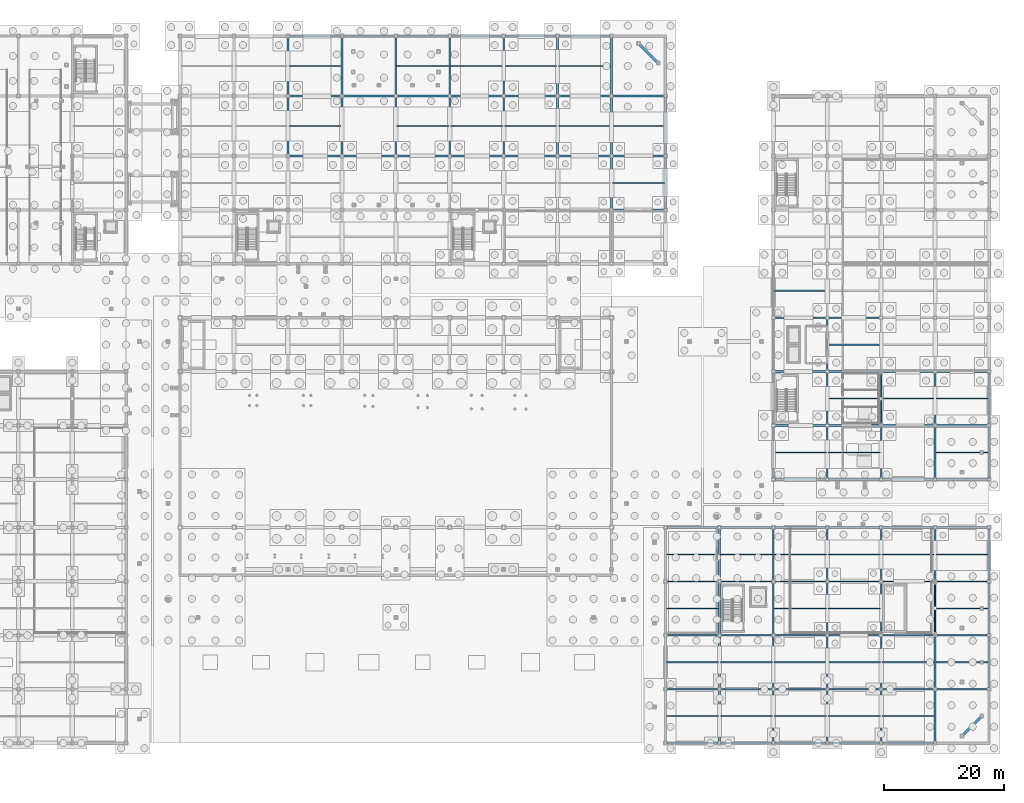
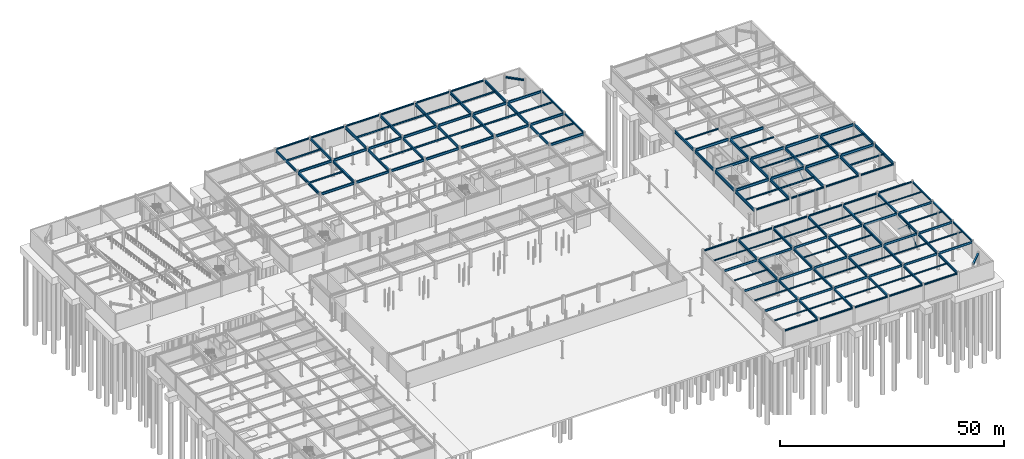
# One storey, part 42 of 74: 160 beams, 4 members.
"""IFC4 building model written with IfcOpenShell, lengths in metres."""

from ifc_helpers import new_model, si_unit, direction, frame, origin, origin_2d, place, context, subcontext, project, spatial, hollow_circle, i_section, extrude, material, material_profile, profile_set, type_object, element, save


model = new_model("IFC4")

# Units and contexts
model_context = context("Model", 3, precision=1e-05, world=origin(), true_north=direction((0.0, 1.0)))
body_context = subcontext(model_context, "Body", "Model", "MODEL_VIEW")
ifc_project = project(units=[si_unit("LENGTHUNIT", "METRE"), si_unit("AREAUNIT", "SQUARE_METRE"), si_unit("VOLUMEUNIT", "CUBIC_METRE"), si_unit("PLANEANGLEUNIT", "RADIAN"), si_unit("MASSUNIT", "GRAM", prefix="KILO")], contexts=[model_context])

# Site, building, storey
site_placement = place(None, origin())
site = spatial("IfcSite", under=ifc_project, at=site_placement, CompositionType="ELEMENT")
building_placement = place(site_placement, origin())
building = spatial("IfcBuilding", under=site, at=building_placement, Name="Suzunagisa Mobility Hub", CompositionType="ELEMENT")
storey_placement = place(building_placement, frame((0.0, 0.0, -4.800048828125)))
storey = spatial("IfcBuildingStorey", under=building, at=storey_placement, Name="B1", CompositionType="ELEMENT", Elevation=-4.800048828125)

# Members
ifc_material_1 = material(Name="Steel SN490B", Category="steel")
ifc_material_profile_1 = material_profile(ifc_material_1, hollow_circle(Radius=0.1337890625, WallThickness=0.00927734375, at=origin_2d()), Name="CHS-267.4x9.3")
ifc_profile_set_1 = profile_set([ifc_material_profile_1], Name="Steel SN490B")
member_type = type_object("IfcMemberType", Name="Roof Truss and Brace Member MB-06 CHS-267.4x9.3", PredefinedType="BRACE", material=ifc_profile_set_1)
for number, where, z_axis, x_axis, name in (
    (1, (162.0, 53.27001953125, 0.1201171875), (0.0, 0.762788120674, 0.646648500315), (-1.0, 0.0, 0.0), "B1 Concentric Lateral Brace BR-15"),
    (2, (162.0, 61.72998046875, 0.1201171875), (0.0, -0.762788120674, 0.646648500315), (1.0, 0.0, 0.0), "B1 Concentric Lateral Brace BR-16"),
):
    element("IfcMember", number, at=place(storey_placement, frame(where, z_axis=z_axis, x_axis=x_axis)), inside=storey, type_object=member_type, Name=name, PredefinedType="BRACE", context=body_context, shape_type="SweptSolid", body=[
        extrude(hollow_circle(Radius=0.1337890625, WallThickness=0.00927734375, at=origin_2d()), origin(), (0.0, 0.0, 1.0), 5.54541015625),
    ])
for number, where, z_axis, x_axis, name in (
    (3, (171.0, 18.2451171875, 0.1201171875), (0.0, 0.751453781522, 0.659785733581), (-1.0, 0.0, 0.0), "B1 Concentric Lateral Brace BR-51"),
    (4, (171.0, 26.7548828125, 0.1201171875), (0.0, -0.751453781522, 0.659785733581), (1.0, 0.0, 0.0), "B1 Concentric Lateral Brace BR-52"),
):
    element("IfcMember", number, at=place(storey_placement, frame(where, z_axis=z_axis, x_axis=x_axis)), inside=storey, type_object=member_type, Name=name, PredefinedType="BRACE", context=body_context, shape_type="SweptSolid", body=[
        extrude(hollow_circle(Radius=0.1337890625, WallThickness=0.00927734375, at=origin_2d()), origin(), (0.0, 0.0, 1.0), 5.662109375),
    ])

# Beams
ifc_material_2 = material(Name="Steel SN400B", Category="steel")
ifc_material_profile_2 = material_profile(ifc_material_2, i_section(OverallWidth=0.175048828125, OverallDepth=0.35009765625, WebThickness=0.007080078125, FlangeThickness=0.010986328125, FilletRadius=0.008056640625, at=origin_2d()), Name="H-350x175x7x11")
ifc_profile_set_2 = profile_set([ifc_material_profile_2], Name="Steel SN400B")
beam_type_1 = type_object("IfcBeamType", Name="Steel Beam BM-03 H-350x175x7x11", PredefinedType="JOIST", material=ifc_profile_set_2)
for number, where, z_axis, x_axis, name in (
    (5, (126.14990234375, 4.5, 4.344970703125), (1.0, 0.0, 0.0), (0.0, 1.0, 0.0), "B1 Composite Floor Joist J-1371"),
    (6, (126.14990234375, 13.5, 4.344970703125), (1.0, 0.0, 0.0), (0.0, 1.0, 0.0), "B1 Composite Floor Joist J-1372"),
    (7, (126.14990234375, 22.5, 4.344970703125), (1.0, 0.0, 0.0), (0.0, 1.0, 0.0), "B1 Composite Floor Joist J-1373"),
    (8, (126.14990234375, 31.5, 4.344970703125), (1.0, 0.0, 0.0), (0.0, 1.0, 0.0), "B1 Composite Floor Joist J-1374"),
    (9, (135.14990234375, 4.5, 4.344970703125), (1.0, 0.0, 0.0), (0.0, 1.0, 0.0), "B1 Composite Floor Joist J-1375"),
    (10, (135.14990234375, 13.5, 4.344970703125), (1.0, 0.0, 0.0), (0.0, 1.0, 0.0), "B1 Composite Floor Joist J-1376"),
    (11, (135.14990234375, 31.5, 4.344970703125), (1.0, 0.0, 0.0), (0.0, 1.0, 0.0), "B1 Composite Floor Joist J-1377"),
    (12, (144.14990234375, 4.5, 4.344970703125), (1.0, 0.0, 0.0), (0.0, 1.0, 0.0), "B1 Composite Floor Joist J-1378"),
    (13, (144.14990234375, 13.5, 4.344970703125), (1.0, 0.0, 0.0), (0.0, 1.0, 0.0), "B1 Composite Floor Joist J-1379"),
    (14, (144.14990234375, 22.5, 4.344970703125), (1.0, 0.0, 0.0), (0.0, 1.0, 0.0), "B1 Composite Floor Joist J-1380"),
    (15, (144.14990234375, 31.5, 4.344970703125), (1.0, 0.0, 0.0), (0.0, 1.0, 0.0), "B1 Composite Floor Joist J-1381"),
    (16, (153.14990234375, 4.5, 4.344970703125), (1.0, 0.0, 0.0), (0.0, 1.0, 0.0), "B1 Composite Floor Joist J-1382"),
    (17, (153.14990234375, 13.5, 4.344970703125), (1.0, 0.0, 0.0), (0.0, 1.0, 0.0), "B1 Composite Floor Joist J-1383"),
    (18, (153.14990234375, 22.5, 4.344970703125), (1.0, 0.0, 0.0), (0.0, 1.0, 0.0), "B1 Composite Floor Joist J-1384"),
    (19, (153.14990234375, 31.5, 4.344970703125), (1.0, 0.0, 0.0), (0.0, 1.0, 0.0), "B1 Composite Floor Joist J-1385"),
    (20, (162.14990234375, 4.5, 4.344970703125), (1.0, 0.0, 0.0), (0.0, 1.0, 0.0), "B1 Composite Floor Joist J-1386"),
    (21, (162.14990234375, 13.5, 4.344970703125), (1.0, 0.0, 0.0), (0.0, 1.0, 0.0), "B1 Composite Floor Joist J-1387"),
    (22, (162.14990234375, 31.5, 4.344970703125), (1.0, 0.0, 0.0), (0.0, 1.0, 0.0), "B1 Composite Floor Joist J-1388"),
    (23, (171.14990234375, 13.5, 4.344970703125), (1.0, 0.0, 0.0), (0.0, 1.0, 0.0), "B1 Composite Floor Joist J-1389"),
    (24, (171.14990234375, 22.5, 4.344970703125), (1.0, 0.0, 0.0), (0.0, 1.0, 0.0), "B1 Composite Floor Joist J-1390"),
    (25, (171.14990234375, 31.5, 4.344970703125), (1.0, 0.0, 0.0), (0.0, 1.0, 0.0), "B1 Composite Floor Joist J-1391"),
):
    element("IfcBeam", number, at=place(storey_placement, frame(where, z_axis=z_axis, x_axis=x_axis)), inside=storey, type_object=beam_type_1, Name=name, PredefinedType="JOIST", context=body_context, shape_type="SweptSolid", body=[
        extrude(i_section(OverallWidth=0.175048828125, OverallDepth=0.35009765625, WebThickness=0.007080078125, FlangeThickness=0.010986328125, FilletRadius=0.008056640625, at=origin_2d()), origin(), (0.0, 0.0, 1.0), 8.7001953125),
    ])
ifc_material_profile_3 = material_profile(ifc_material_2, i_section(OverallWidth=0.199951171875, OverallDepth=0.449951171875, WebThickness=0.009033203125, FlangeThickness=0.013916015625, FilletRadius=0.012939453125, at=origin_2d()), Name="H-450x200x9x14")
ifc_profile_set_3 = profile_set([ifc_material_profile_3], Name="Steel SN400B")
beam_type_2 = type_object("IfcBeamType", Name="Steel Beam BM-05 H-450x200x9x14", PredefinedType="JOIST", material=ifc_profile_set_3)
for number, where, z_axis, x_axis, name in (
    (26, (63.14990234375, 103.0, 4.295166015625), (1.0, 0.0, 0.0), (0.0, 1.0, 0.0), "B1 Composite Floor Joist J-681"),
    (27, (63.14990234375, 113.0, 4.295166015625), (1.0, 0.0, 0.0), (0.0, 1.0, 0.0), "B1 Composite Floor Joist J-682"),
    (28, (81.14990234375, 103.0, 4.295166015625), (1.0, 0.0, 0.0), (0.0, 1.0, 0.0), "B1 Composite Floor Joist J-686"),
    (29, (81.14990234375, 113.0, 4.295166015625), (1.0, 0.0, 0.0), (0.0, 1.0, 0.0), "B1 Composite Floor Joist J-687"),
    (30, (90.14990234375, 103.0, 4.295166015625), (1.0, 0.0, 0.0), (0.0, 1.0, 0.0), "B1 Composite Floor Joist J-689"),
    (31, (90.14990234375, 113.0, 4.295166015625), (1.0, 0.0, 0.0), (0.0, 1.0, 0.0), "B1 Composite Floor Joist J-690"),
    (32, (99.14990234375, 103.0, 4.295166015625), (1.0, 0.0, 0.0), (0.0, 1.0, 0.0), "B1 Composite Floor Joist J-693"),
    (33, (99.14990234375, 113.0, 4.295166015625), (1.0, 0.0, 0.0), (0.0, 1.0, 0.0), "B1 Composite Floor Joist J-694"),
    (34, (108.14990234375, 103.0, 4.295166015625), (1.0, 0.0, 0.0), (0.0, 1.0, 0.0), "B1 Composite Floor Joist J-697"),
    (35, (108.14990234375, 113.0, 4.295166015625), (1.0, 0.0, 0.0), (0.0, 1.0, 0.0), "B1 Composite Floor Joist J-698"),
    (36, (117.14990234375, 93.5, 4.295166015625), (1.0, 0.0, 0.0), (0.0, 1.0, 0.0), "B1 Composite Floor Joist J-700"),
    (37, (117.14990234375, 103.0, 4.295166015625), (1.0, 0.0, 0.0), (0.0, 1.0, 0.0), "B1 Composite Floor Joist J-701"),
):
    element("IfcBeam", number, at=place(storey_placement, frame(where, z_axis=z_axis, x_axis=x_axis)), inside=storey, type_object=beam_type_2, Name=name, PredefinedType="JOIST", context=body_context, shape_type="SweptSolid", body=[
        extrude(i_section(OverallWidth=0.199951171875, OverallDepth=0.449951171875, WebThickness=0.009033203125, FlangeThickness=0.013916015625, FilletRadius=0.012939453125, at=origin_2d()), origin(), (0.0, 0.0, 1.0), 8.7001953125),
    ])
ifc_material_profile_4 = material_profile(ifc_material_1, i_section(OverallWidth=0.199951171875, OverallDepth=0.60009765625, WebThickness=0.010986328125, FlangeThickness=0.01708984375, FilletRadius=0.012939453125, at=origin_2d()), Name="H-600x200x11x17")
ifc_profile_set_4 = profile_set([ifc_material_profile_4], Name="Steel SN490B")
beam_type_3 = type_object("IfcBeamType", Name="Steel Beam BM-07 H-600x200x11x17", PredefinedType="BEAM", material=ifc_profile_set_4)
for number, where, z_axis, x_axis, name in (
    (38, (126.220947265625, 9.0, 4.219970703125), (1.0, 0.0, 0.0), (0.0, 1.0, 0.0), "B1 Primary Girder GX-1319"),
    (39, (135.220947265625, 9.0, 4.219970703125), (1.0, 0.0, 0.0), (0.0, 1.0, 0.0), "B1 Primary Girder GX-1320"),
    (40, (144.220947265625, 9.0, 4.219970703125), (1.0, 0.0, 0.0), (0.0, 1.0, 0.0), "B1 Primary Girder GX-1321"),
    (41, (153.220947265625, 9.0, 4.219970703125), (1.0, 0.0, 0.0), (0.0, 1.0, 0.0), "B1 Primary Girder GX-1322"),
    (42, (162.220947265625, 9.0, 4.219970703125), (1.0, 0.0, 0.0), (0.0, 1.0, 0.0), "B1 Primary Girder GX-1323"),
    (43, (171.220947265625, 9.0, 4.219970703125), (1.0, 0.0, 0.0), (0.0, 1.0, 0.0), "B1 Primary Girder GX-1324"),
    (44, (126.220947265625, 18.0, 4.219970703125), (1.0, 0.0, 0.0), (0.0, 1.0, 0.0), "B1 Primary Girder GX-1325"),
    (45, (135.220947265625, 18.0, 4.219970703125), (1.0, 0.0, 0.0), (0.0, 1.0, 0.0), "B1 Primary Girder GX-1326"),
    (46, (144.220947265625, 18.0, 4.219970703125), (1.0, 0.0, 0.0), (0.0, 1.0, 0.0), "B1 Primary Girder GX-1327"),
    (47, (153.220947265625, 18.0, 4.219970703125), (1.0, 0.0, 0.0), (0.0, 1.0, 0.0), "B1 Primary Girder GX-1328"),
    (48, (162.220947265625, 18.0, 4.219970703125), (1.0, 0.0, 0.0), (0.0, 1.0, 0.0), "B1 Primary Girder GX-1329"),
    (49, (171.220947265625, 18.0, 4.219970703125), (1.0, 0.0, 0.0), (0.0, 1.0, 0.0), "B1 Primary Girder GX-1330"),
    (50, (126.220947265625, 27.0, 4.219970703125), (1.0, 0.0, 0.0), (0.0, 1.0, 0.0), "B1 Primary Girder GX-1331"),
    (51, (135.220947265625, 27.0, 4.219970703125), (1.0, 0.0, 0.0), (0.0, 1.0, 0.0), "B1 Primary Girder GX-1332"),
    (52, (144.220947265625, 27.0, 4.219970703125), (1.0, 0.0, 0.0), (0.0, 1.0, 0.0), "B1 Primary Girder GX-1333"),
    (53, (153.220947265625, 27.0, 4.219970703125), (1.0, 0.0, 0.0), (0.0, 1.0, 0.0), "B1 Primary Girder GX-1334"),
    (54, (162.220947265625, 27.0, 4.219970703125), (1.0, 0.0, 0.0), (0.0, 1.0, 0.0), "B1 Primary Girder GX-1335"),
    (55, (171.220947265625, 27.0, 4.219970703125), (1.0, 0.0, 0.0), (0.0, 1.0, 0.0), "B1 Primary Girder GX-1336"),
):
    element("IfcBeam", number, at=place(storey_placement, frame(where, z_axis=z_axis, x_axis=x_axis)), inside=storey, type_object=beam_type_3, Name=name, PredefinedType="BEAM", context=body_context, shape_type="SweptSolid", body=[
        extrude(i_section(OverallWidth=0.199951171875, OverallDepth=0.60009765625, WebThickness=0.010986328125, FlangeThickness=0.01708984375, FilletRadius=0.012939453125, at=origin_2d()), origin(), (0.0, 0.0, 1.0), 8.55810546875),
    ])
ifc_material_profile_5 = material_profile(ifc_material_1, i_section(OverallWidth=0.300048828125, OverallDepth=0.800048828125, WebThickness=0.013916015625, FlangeThickness=0.02587890625, FilletRadius=0.01806640625, at=origin_2d()), Name="H-800x300x14x26")
ifc_profile_set_5 = profile_set([ifc_material_profile_5], Name="Steel SN490B")
beam_type_4 = type_object("IfcBeamType", Name="Steel Beam BM-09 H-800x300x14x26", PredefinedType="BEAM", material=ifc_profile_set_5)
for number, where, z_axis, x_axis, name in (
    (56, (144.0, 44.24609375, 4.1201171875), (0.0, 1.0, 0.0), (-1.0, 0.0, 0.0), "B1 Primary Girder GY-1648"),
    (57, (144.0, 53.24609375, 4.1201171875), (0.0, 1.0, 0.0), (-1.0, 0.0, 0.0), "B1 Primary Girder GY-1649"),
    (58, (144.0, 62.24609375, 4.1201171875), (0.0, 1.0, 0.0), (-1.0, 0.0, 0.0), "B1 Primary Girder GY-1650"),
    (59, (144.0, 71.24609375, 4.1201171875), (0.0, 1.0, 0.0), (-1.0, 0.0, 0.0), "B1 Primary Girder GY-1651"),
    (60, (153.0, 44.24609375, 4.1201171875), (0.0, 1.0, 0.0), (-1.0, 0.0, 0.0), "B1 Primary Girder GY-1655"),
    (61, (153.0, 53.24609375, 4.1201171875), (0.0, 1.0, 0.0), (-1.0, 0.0, 0.0), "B1 Primary Girder GY-1656"),
    (62, (153.0, 62.24609375, 4.1201171875), (0.0, 1.0, 0.0), (-1.0, 0.0, 0.0), "B1 Primary Girder GY-1657"),
    (63, (162.0, 44.24609375, 4.1201171875), (0.0, 1.0, 0.0), (-1.0, 0.0, 0.0), "B1 Primary Girder GY-1662"),
    (64, (162.0, 53.24609375, 4.1201171875), (0.0, 1.0, 0.0), (-1.0, 0.0, 0.0), "B1 Primary Girder GY-1663"),
    (65, (171.0, 44.24609375, 4.1201171875), (0.0, 1.0, 0.0), (-1.0, 0.0, 0.0), "B1 Primary Girder GY-1669"),
    (66, (171.0, 53.24609375, 4.1201171875), (0.0, 1.0, 0.0), (-1.0, 0.0, 0.0), "B1 Primary Girder GY-1670"),
    (67, (180.0, 44.24609375, 4.1201171875), (0.0, 1.0, 0.0), (-1.0, 0.0, 0.0), "B1 Primary Girder GY-1676"),
    (68, (180.0, 53.24609375, 4.1201171875), (0.0, 1.0, 0.0), (-1.0, 0.0, 0.0), "B1 Primary Girder GY-1677"),
):
    element("IfcBeam", number, at=place(storey_placement, frame(where, z_axis=z_axis, x_axis=x_axis)), inside=storey, type_object=beam_type_4, Name=name, PredefinedType="BEAM", context=body_context, shape_type="SweptSolid", body=[
        extrude(i_section(OverallWidth=0.300048828125, OverallDepth=0.800048828125, WebThickness=0.013916015625, FlangeThickness=0.02587890625, FilletRadius=0.01806640625, at=origin_2d()), origin(), (0.0, 0.0, 1.0), 8.5078125),
    ])
ifc_material_profile_6 = material_profile(ifc_material_1, i_section(OverallWidth=0.300048828125, OverallDepth=0.64990234375, WebThickness=0.012939453125, FlangeThickness=0.02197265625, FilletRadius=0.01611328125, at=origin_2d()), Name="H-650x300x13x22")
ifc_profile_set_6 = profile_set([ifc_material_profile_6], Name="Steel SN490B")
beam_type_5 = type_object("IfcBeamType", Name="Steel Beam BM-10 H-650x300x13x22", PredefinedType="BEAM", material=ifc_profile_set_6)
for number, where, z_axis, x_axis, name in (
    (69, (117.24609375, 89.0, 4.195068359375), (1.0, 0.0, 0.0), (0.0, 1.0, 0.0), "B1 Primary Girder GX-605"),
    (70, (63.24609375, 98.0, 4.195068359375), (1.0, 0.0, 0.0), (0.0, 1.0, 0.0), "B1 Primary Girder GX-608"),
    (71, (72.24609375, 98.0, 4.195068359375), (1.0, 0.0, 0.0), (0.0, 1.0, 0.0), "B1 Primary Girder GX-609"),
    (72, (81.24609375, 98.0, 4.195068359375), (1.0, 0.0, 0.0), (0.0, 1.0, 0.0), "B1 Primary Girder GX-610"),
    (73, (90.24609375, 98.0, 4.195068359375), (1.0, 0.0, 0.0), (0.0, 1.0, 0.0), "B1 Primary Girder GX-611"),
    (74, (99.24609375, 98.0, 4.195068359375), (1.0, 0.0, 0.0), (0.0, 1.0, 0.0), "B1 Primary Girder GX-612"),
    (75, (108.24609375, 98.0, 4.195068359375), (1.0, 0.0, 0.0), (0.0, 1.0, 0.0), "B1 Primary Girder GX-613"),
    (76, (117.24609375, 98.0, 4.195068359375), (1.0, 0.0, 0.0), (0.0, 1.0, 0.0), "B1 Primary Girder GX-614"),
    (77, (63.24609375, 108.0, 4.195068359375), (1.0, 0.0, 0.0), (0.0, 1.0, 0.0), "B1 Primary Girder GX-617"),
    (78, (72.24609375, 108.0, 4.195068359375), (1.0, 0.0, 0.0), (0.0, 1.0, 0.0), "B1 Primary Girder GX-618"),
    (79, (81.24609375, 108.0, 4.195068359375), (1.0, 0.0, 0.0), (0.0, 1.0, 0.0), "B1 Primary Girder GX-619"),
    (80, (90.24609375, 108.0, 4.195068359375), (1.0, 0.0, 0.0), (0.0, 1.0, 0.0), "B1 Primary Girder GX-620"),
    (81, (99.24609375, 108.0, 4.195068359375), (1.0, 0.0, 0.0), (0.0, 1.0, 0.0), "B1 Primary Girder GX-621"),
    (82, (108.24609375, 108.0, 4.195068359375), (1.0, 0.0, 0.0), (0.0, 1.0, 0.0), "B1 Primary Girder GX-622"),
    (83, (117.24609375, 108.0, 4.195068359375), (1.0, 0.0, 0.0), (0.0, 1.0, 0.0), "B1 Primary Girder GX-623"),
):
    element("IfcBeam", number, at=place(storey_placement, frame(where, z_axis=z_axis, x_axis=x_axis)), inside=storey, type_object=beam_type_5, Name=name, PredefinedType="BEAM", context=body_context, shape_type="SweptSolid", body=[
        extrude(i_section(OverallWidth=0.300048828125, OverallDepth=0.64990234375, WebThickness=0.012939453125, FlangeThickness=0.02197265625, FilletRadius=0.01611328125, at=origin_2d()), origin(), (0.0, 0.0, 1.0), 8.5078125),
    ])
for number, where, z_axis, x_axis, name in (
    (84, (135.0, 0.220947265625, 4.195068359375), (0.0, 1.0, 0.0), (-1.0, 0.0, 0.0), "B1 Primary Girder GY-1347"),
    (85, (135.0, 9.220947265625, 4.195068359375), (0.0, 1.0, 0.0), (-1.0, 0.0, 0.0), "B1 Primary Girder GY-1348"),
    (86, (135.0, 18.220947265625, 4.195068359375), (0.0, 1.0, 0.0), (-1.0, 0.0, 0.0), "B1 Primary Girder GY-1349"),
    (87, (135.0, 27.220947265625, 4.195068359375), (0.0, 1.0, 0.0), (-1.0, 0.0, 0.0), "B1 Primary Girder GY-1350"),
    (88, (144.0, 0.220947265625, 4.195068359375), (0.0, 1.0, 0.0), (-1.0, 0.0, 0.0), "B1 Primary Girder GY-1351"),
    (89, (144.0, 9.220947265625, 4.195068359375), (0.0, 1.0, 0.0), (-1.0, 0.0, 0.0), "B1 Primary Girder GY-1352"),
    (90, (144.0, 18.220947265625, 4.195068359375), (0.0, 1.0, 0.0), (-1.0, 0.0, 0.0), "B1 Primary Girder GY-1353"),
    (91, (144.0, 27.220947265625, 4.195068359375), (0.0, 1.0, 0.0), (-1.0, 0.0, 0.0), "B1 Primary Girder GY-1354"),
    (92, (153.0, 0.220947265625, 4.195068359375), (0.0, 1.0, 0.0), (-1.0, 0.0, 0.0), "B1 Primary Girder GY-1355"),
    (93, (153.0, 9.220947265625, 4.195068359375), (0.0, 1.0, 0.0), (-1.0, 0.0, 0.0), "B1 Primary Girder GY-1356"),
    (94, (153.0, 18.220947265625, 4.195068359375), (0.0, 1.0, 0.0), (-1.0, 0.0, 0.0), "B1 Primary Girder GY-1357"),
    (95, (153.0, 27.220947265625, 4.195068359375), (0.0, 1.0, 0.0), (-1.0, 0.0, 0.0), "B1 Primary Girder GY-1358"),
    (96, (162.0, 0.220947265625, 4.195068359375), (0.0, 1.0, 0.0), (-1.0, 0.0, 0.0), "B1 Primary Girder GY-1359"),
    (97, (162.0, 9.220947265625, 4.195068359375), (0.0, 1.0, 0.0), (-1.0, 0.0, 0.0), "B1 Primary Girder GY-1360"),
    (98, (162.0, 18.220947265625, 4.195068359375), (0.0, 1.0, 0.0), (-1.0, 0.0, 0.0), "B1 Primary Girder GY-1361"),
    (99, (162.0, 27.220947265625, 4.195068359375), (0.0, 1.0, 0.0), (-1.0, 0.0, 0.0), "B1 Primary Girder GY-1362"),
    (100, (171.0, 0.220947265625, 4.195068359375), (0.0, 1.0, 0.0), (-1.0, 0.0, 0.0), "B1 Primary Girder GY-1363"),
    (101, (171.0, 9.220947265625, 4.195068359375), (0.0, 1.0, 0.0), (-1.0, 0.0, 0.0), "B1 Primary Girder GY-1364"),
    (102, (171.0, 18.220947265625, 4.195068359375), (0.0, 1.0, 0.0), (-1.0, 0.0, 0.0), "B1 Primary Girder GY-1365"),
    (103, (171.0, 27.220947265625, 4.195068359375), (0.0, 1.0, 0.0), (-1.0, 0.0, 0.0), "B1 Primary Girder GY-1366"),
):
    element("IfcBeam", number, at=place(storey_placement, frame(where, z_axis=z_axis, x_axis=x_axis)), inside=storey, type_object=beam_type_5, Name=name, PredefinedType="BEAM", context=body_context, shape_type="SweptSolid", body=[
        extrude(i_section(OverallWidth=0.300048828125, OverallDepth=0.64990234375, WebThickness=0.012939453125, FlangeThickness=0.02197265625, FilletRadius=0.01611328125, at=origin_2d()), origin(), (0.0, 0.0, 1.0), 8.55810546875),
    ])
ifc_material_profile_7 = material_profile(ifc_material_1, i_section(OverallWidth=0.300048828125, OverallDepth=0.699951171875, WebThickness=0.012939453125, FlangeThickness=0.02392578125, FilletRadius=0.01806640625, at=origin_2d()), Name="H-700x300x13x24")
ifc_profile_set_7 = profile_set([ifc_material_profile_7], Name="Steel SN490B")
beam_type_6 = type_object("IfcBeamType", Name="Steel Beam BM-11 H-700x300x13x24", PredefinedType="BEAM", material=ifc_profile_set_7)
for number, where, z_axis, x_axis, name in (
    (104, (144.24609375, 53.0, 4.170166015625), (1.0, 0.0, 0.0), (0.0, 1.0, 0.0), "B1 Primary Girder GX-1621"),
    (105, (153.24609375, 53.0, 4.170166015625), (1.0, 0.0, 0.0), (0.0, 1.0, 0.0), "B1 Primary Girder GX-1622"),
    (106, (162.24609375, 53.0, 4.170166015625), (1.0, 0.0, 0.0), (0.0, 1.0, 0.0), "B1 Primary Girder GX-1623"),
    (107, (171.24609375, 53.0, 4.170166015625), (1.0, 0.0, 0.0), (0.0, 1.0, 0.0), "B1 Primary Girder GX-1624"),
    (108, (144.24609375, 62.0, 4.170166015625), (1.0, 0.0, 0.0), (0.0, 1.0, 0.0), "B1 Primary Girder GX-1625"),
    (109, (153.24609375, 62.0, 4.170166015625), (1.0, 0.0, 0.0), (0.0, 1.0, 0.0), "B1 Primary Girder GX-1626"),
    (110, (162.24609375, 62.0, 4.170166015625), (1.0, 0.0, 0.0), (0.0, 1.0, 0.0), "B1 Primary Girder GX-1627"),
    (111, (171.24609375, 62.0, 4.170166015625), (1.0, 0.0, 0.0), (0.0, 1.0, 0.0), "B1 Primary Girder GX-1628"),
    (112, (144.24609375, 71.0, 4.170166015625), (1.0, 0.0, 0.0), (0.0, 1.0, 0.0), "B1 Primary Girder GX-1629"),
    (113, (153.24609375, 71.0, 4.170166015625), (1.0, 0.0, 0.0), (0.0, 1.0, 0.0), "B1 Primary Girder GX-1630"),
):
    element("IfcBeam", number, at=place(storey_placement, frame(where, z_axis=z_axis, x_axis=x_axis)), inside=storey, type_object=beam_type_6, Name=name, PredefinedType="BEAM", context=body_context, shape_type="SweptSolid", body=[
        extrude(i_section(OverallWidth=0.300048828125, OverallDepth=0.699951171875, WebThickness=0.012939453125, FlangeThickness=0.02392578125, FilletRadius=0.01806640625, at=origin_2d()), origin(), (0.0, 0.0, 1.0), 8.5078125),
    ])
ifc_material_profile_8 = material_profile(ifc_material_1, i_section(OverallWidth=0.39990234375, OverallDepth=0.39990234375, WebThickness=0.012939453125, FlangeThickness=0.02099609375, FilletRadius=0.01611328125, at=origin_2d()), Name="H-400x400x13x21")
ifc_profile_set_8 = profile_set([ifc_material_profile_8], Name="Steel SN490B")
beam_type_7 = type_object("IfcBeamType", Name="Steel Beam BM-12 H-400x400x13x21", PredefinedType="SPANDREL", material=ifc_profile_set_8)
for number, where, z_axis, x_axis, name in (
    (114, (124.632568359375, 113.66162109375, 4.320068359375), (-0.707106781187, 0.707106781187, 0.0), (-0.707106781187, -0.707106781187, 0.0), "B1 Streamline Prow Spandrel 671"),
    (115, (175.66162109375, 1.367431640625, 4.320068359375), (0.707106781187, 0.707106781187, 0.0), (-0.707106781187, 0.707106781187, 0.0), "B1 Streamline Prow Spandrel 1370"),
):
    element("IfcBeam", number, at=place(storey_placement, frame(where, z_axis=z_axis, x_axis=x_axis)), inside=storey, type_object=beam_type_7, Name=name, PredefinedType="SPANDREL", context=body_context, shape_type="SweptSolid", body=[
        extrude(i_section(OverallWidth=0.39990234375, OverallDepth=0.39990234375, WebThickness=0.012939453125, FlangeThickness=0.02099609375, FilletRadius=0.01611328125, at=origin_2d()), origin(), (0.0, 0.0, 1.0), 4.20166015625),
    ])
ifc_material_profile_9 = material_profile(ifc_material_1, i_section(OverallWidth=0.300048828125, OverallDepth=0.389892578125, WebThickness=0.010009765625, FlangeThickness=0.01611328125, FilletRadius=0.012939453125, at=origin_2d()), Name="H-390x300x10x16")
ifc_profile_set_9 = profile_set([ifc_material_profile_9], Name="Steel SN490B")
beam_type_8 = type_object("IfcBeamType", Name="Steel Beam BM-13 H-390x300x10x16", PredefinedType="SPANDREL", material=ifc_profile_set_9)
for number, where, z_axis, x_axis, name in (
    (116, (63.24609375, 118.0, 4.324951171875), (1.0, 0.0, 0.0), (0.0, 1.0, 0.0), "B1 Primary Girder GX-626"),
    (117, (72.24609375, 118.0, 4.324951171875), (1.0, 0.0, 0.0), (0.0, 1.0, 0.0), "B1 Primary Girder GX-627"),
    (118, (81.24609375, 118.0, 4.324951171875), (1.0, 0.0, 0.0), (0.0, 1.0, 0.0), "B1 Primary Girder GX-628"),
    (119, (90.24609375, 118.0, 4.324951171875), (1.0, 0.0, 0.0), (0.0, 1.0, 0.0), "B1 Primary Girder GX-629"),
    (120, (99.24609375, 118.0, 4.324951171875), (1.0, 0.0, 0.0), (0.0, 1.0, 0.0), "B1 Primary Girder GX-630"),
    (121, (108.24609375, 118.0, 4.324951171875), (1.0, 0.0, 0.0), (0.0, 1.0, 0.0), "B1 Primary Girder GX-631"),
    (122, (126.0, 89.24609375, 4.324951171875), (0.0, 1.0, 0.0), (-1.0, 0.0, 0.0), "B1 Primary Girder GY-669"),
):
    element("IfcBeam", number, at=place(storey_placement, frame(where, z_axis=z_axis, x_axis=x_axis)), inside=storey, type_object=beam_type_8, Name=name, PredefinedType="SPANDREL", context=body_context, shape_type="SweptSolid", body=[
        extrude(i_section(OverallWidth=0.300048828125, OverallDepth=0.389892578125, WebThickness=0.010009765625, FlangeThickness=0.01611328125, FilletRadius=0.012939453125, at=origin_2d()), origin(), (0.0, 0.0, 1.0), 8.5078125),
    ])
beam_1_placement = place(storey_placement, frame((126.0, 98.24609375, 4.324951171875), z_axis=(0.0, 1.0, 0.0), x_axis=(-1.0, 0.0, 0.0)))
element("IfcBeam", 123, at=beam_1_placement, inside=storey, type_object=beam_type_8, Name="B1 Primary Girder GY-670", PredefinedType="SPANDREL", context=body_context, shape_type="SweptSolid", body=[
    extrude(i_section(OverallWidth=0.300048828125, OverallDepth=0.389892578125, WebThickness=0.010009765625, FlangeThickness=0.01611328125, FilletRadius=0.012939453125, at=origin_2d()), origin(), (0.0, 0.0, 1.0), 9.5078125),
])
for number, where, z_axis, x_axis, name in (
    (124, (126.220947265625, 0.0, 4.324951171875), (1.0, 0.0, 0.0), (0.0, 1.0, 0.0), "B1 Primary Girder GX-1314"),
    (125, (135.220947265625, 0.0, 4.324951171875), (1.0, 0.0, 0.0), (0.0, 1.0, 0.0), "B1 Primary Girder GX-1315"),
    (126, (144.220947265625, 0.0, 4.324951171875), (1.0, 0.0, 0.0), (0.0, 1.0, 0.0), "B1 Primary Girder GX-1316"),
    (127, (153.220947265625, 0.0, 4.324951171875), (1.0, 0.0, 0.0), (0.0, 1.0, 0.0), "B1 Primary Girder GX-1317"),
    (128, (162.220947265625, 0.0, 4.324951171875), (1.0, 0.0, 0.0), (0.0, 1.0, 0.0), "B1 Primary Girder GX-1318"),
    (129, (126.220947265625, 36.0, 4.324951171875), (1.0, 0.0, 0.0), (0.0, 1.0, 0.0), "B1 Primary Girder GX-1337"),
    (130, (135.220947265625, 36.0, 4.324951171875), (1.0, 0.0, 0.0), (0.0, 1.0, 0.0), "B1 Primary Girder GX-1338"),
    (131, (144.220947265625, 36.0, 4.324951171875), (1.0, 0.0, 0.0), (0.0, 1.0, 0.0), "B1 Primary Girder GX-1339"),
    (132, (153.220947265625, 36.0, 4.324951171875), (1.0, 0.0, 0.0), (0.0, 1.0, 0.0), "B1 Primary Girder GX-1340"),
    (133, (162.220947265625, 36.0, 4.324951171875), (1.0, 0.0, 0.0), (0.0, 1.0, 0.0), "B1 Primary Girder GX-1341"),
    (134, (171.220947265625, 36.0, 4.324951171875), (1.0, 0.0, 0.0), (0.0, 1.0, 0.0), "B1 Primary Girder GX-1342"),
    (135, (180.0, 9.220947265625, 4.324951171875), (0.0, 1.0, 0.0), (-1.0, 0.0, 0.0), "B1 Primary Girder GY-1367"),
    (136, (180.0, 18.220947265625, 4.324951171875), (0.0, 1.0, 0.0), (-1.0, 0.0, 0.0), "B1 Primary Girder GY-1368"),
    (137, (180.0, 27.220947265625, 4.324951171875), (0.0, 1.0, 0.0), (-1.0, 0.0, 0.0), "B1 Primary Girder GY-1369"),
):
    element("IfcBeam", number, at=place(storey_placement, frame(where, z_axis=z_axis, x_axis=x_axis)), inside=storey, type_object=beam_type_8, Name=name, PredefinedType="SPANDREL", context=body_context, shape_type="SweptSolid", body=[
        extrude(i_section(OverallWidth=0.300048828125, OverallDepth=0.389892578125, WebThickness=0.010009765625, FlangeThickness=0.01611328125, FilletRadius=0.012939453125, at=origin_2d()), origin(), (0.0, 0.0, 1.0), 8.55810546875),
    ])
for number, where, z_axis, x_axis, name in (
    (138, (144.24609375, 44.0, 4.324951171875), (1.0, 0.0, 0.0), (0.0, 1.0, 0.0), "B1 Primary Girder GX-1617"),
    (139, (153.24609375, 44.0, 4.324951171875), (1.0, 0.0, 0.0), (0.0, 1.0, 0.0), "B1 Primary Girder GX-1618"),
    (140, (162.24609375, 44.0, 4.324951171875), (1.0, 0.0, 0.0), (0.0, 1.0, 0.0), "B1 Primary Girder GX-1619"),
    (141, (171.24609375, 44.0, 4.324951171875), (1.0, 0.0, 0.0), (0.0, 1.0, 0.0), "B1 Primary Girder GX-1620"),
):
    element("IfcBeam", number, at=place(storey_placement, frame(where, z_axis=z_axis, x_axis=x_axis)), inside=storey, type_object=beam_type_8, Name=name, PredefinedType="SPANDREL", context=body_context, shape_type="SweptSolid", body=[
        extrude(i_section(OverallWidth=0.300048828125, OverallDepth=0.389892578125, WebThickness=0.010009765625, FlangeThickness=0.01611328125, FilletRadius=0.012939453125, at=origin_2d()), origin(), (0.0, 0.0, 1.0), 8.5078125),
    ])
ifc_material_profile_10 = material_profile(ifc_material_2, i_section(OverallWidth=0.199951171875, OverallDepth=0.39990234375, WebThickness=0.008056640625, FlangeThickness=0.012939453125, FilletRadius=0.012939453125, at=origin_2d()), Name="H-400x200x8x13")
ifc_profile_set_10 = profile_set([ifc_material_profile_10], Name="Steel SN400B")
beam_type_9 = type_object("IfcBeamType", Name="Steel Beam BM-14 H-400x200x8x13", PredefinedType="JOIST", material=ifc_profile_set_10)
for number, where, z_axis, x_axis, name in (
    (142, (144.14990234375, 48.5, 4.320068359375), (1.0, 0.0, 0.0), (0.0, 1.0, 0.0), "B1 Composite Floor Joist J-1683"),
    (143, (144.14990234375, 75.5, 4.320068359375), (1.0, 0.0, 0.0), (0.0, 1.0, 0.0), "B1 Composite Floor Joist J-1684"),
    (144, (153.14990234375, 48.5, 4.320068359375), (1.0, 0.0, 0.0), (0.0, 1.0, 0.0), "B1 Composite Floor Joist J-1687"),
    (145, (153.14990234375, 57.5, 4.320068359375), (1.0, 0.0, 0.0), (0.0, 1.0, 0.0), "B1 Composite Floor Joist J-1688"),
    (146, (153.14990234375, 66.5, 4.320068359375), (1.0, 0.0, 0.0), (0.0, 1.0, 0.0), "B1 Composite Floor Joist J-1689"),
    (147, (162.14990234375, 57.5, 4.320068359375), (1.0, 0.0, 0.0), (0.0, 1.0, 0.0), "B1 Composite Floor Joist J-1694"),
    (148, (171.14990234375, 48.5, 4.320068359375), (1.0, 0.0, 0.0), (0.0, 1.0, 0.0), "B1 Composite Floor Joist J-1700"),
    (149, (171.14990234375, 57.5, 4.320068359375), (1.0, 0.0, 0.0), (0.0, 1.0, 0.0), "B1 Composite Floor Joist J-1701"),
):
    element("IfcBeam", number, at=place(storey_placement, frame(where, z_axis=z_axis, x_axis=x_axis)), inside=storey, type_object=beam_type_9, Name=name, PredefinedType="JOIST", context=body_context, shape_type="SweptSolid", body=[
        extrude(i_section(OverallWidth=0.199951171875, OverallDepth=0.39990234375, WebThickness=0.008056640625, FlangeThickness=0.012939453125, FilletRadius=0.012939453125, at=origin_2d()), origin(), (0.0, 0.0, 1.0), 8.7001953125),
    ])
ifc_material_profile_11 = material_profile(ifc_material_1, i_section(OverallWidth=0.300048828125, OverallDepth=0.75, WebThickness=0.013916015625, FlangeThickness=0.02587890625, FilletRadius=0.01806640625, at=origin_2d()), Name="H-750x300x14x26")
ifc_profile_set_11 = profile_set([ifc_material_profile_11], Name="Steel SN490B")
beam_type_10 = type_object("IfcBeamType", Name="Steel Beam BM-15 H-750x300x14x26", PredefinedType="BEAM", material=ifc_profile_set_11)
for number, where, z_axis, x_axis, name in (
    (150, (63.0, 98.24609375, 4.14501953125), (0.0, 1.0, 0.0), (-1.0, 0.0, 0.0), "B1 Primary Girder GY-642"),
    (151, (63.0, 108.24609375, 4.14501953125), (0.0, 1.0, 0.0), (-1.0, 0.0, 0.0), "B1 Primary Girder GY-643"),
    (152, (72.0, 98.24609375, 4.14501953125), (0.0, 1.0, 0.0), (-1.0, 0.0, 0.0), "B1 Primary Girder GY-646"),
    (153, (72.0, 108.24609375, 4.14501953125), (0.0, 1.0, 0.0), (-1.0, 0.0, 0.0), "B1 Primary Girder GY-647"),
    (154, (81.0, 98.24609375, 4.14501953125), (0.0, 1.0, 0.0), (-1.0, 0.0, 0.0), "B1 Primary Girder GY-650"),
    (155, (81.0, 108.24609375, 4.14501953125), (0.0, 1.0, 0.0), (-1.0, 0.0, 0.0), "B1 Primary Girder GY-651"),
    (156, (90.0, 98.24609375, 4.14501953125), (0.0, 1.0, 0.0), (-1.0, 0.0, 0.0), "B1 Primary Girder GY-654"),
    (157, (90.0, 108.24609375, 4.14501953125), (0.0, 1.0, 0.0), (-1.0, 0.0, 0.0), "B1 Primary Girder GY-655"),
    (158, (99.0, 98.24609375, 4.14501953125), (0.0, 1.0, 0.0), (-1.0, 0.0, 0.0), "B1 Primary Girder GY-658"),
    (159, (99.0, 108.24609375, 4.14501953125), (0.0, 1.0, 0.0), (-1.0, 0.0, 0.0), "B1 Primary Girder GY-659"),
    (160, (108.0, 98.24609375, 4.14501953125), (0.0, 1.0, 0.0), (-1.0, 0.0, 0.0), "B1 Primary Girder GY-662"),
    (161, (108.0, 108.24609375, 4.14501953125), (0.0, 1.0, 0.0), (-1.0, 0.0, 0.0), "B1 Primary Girder GY-663"),
):
    element("IfcBeam", number, at=place(storey_placement, frame(where, z_axis=z_axis, x_axis=x_axis)), inside=storey, type_object=beam_type_10, Name=name, PredefinedType="BEAM", context=body_context, shape_type="SweptSolid", body=[
        extrude(i_section(OverallWidth=0.300048828125, OverallDepth=0.75, WebThickness=0.013916015625, FlangeThickness=0.02587890625, FilletRadius=0.01806640625, at=origin_2d()), origin(), (0.0, 0.0, 1.0), 9.5078125),
    ])
beam_2_placement = place(storey_placement, frame((117.0, 89.24609375, 4.14501953125), z_axis=(0.0, 1.0, 0.0), x_axis=(-1.0, 0.0, 0.0)))
element("IfcBeam", 162, at=beam_2_placement, inside=storey, type_object=beam_type_10, Name="B1 Primary Girder GY-665", PredefinedType="BEAM", context=body_context, shape_type="SweptSolid", body=[
    extrude(i_section(OverallWidth=0.300048828125, OverallDepth=0.75, WebThickness=0.013916015625, FlangeThickness=0.02587890625, FilletRadius=0.01806640625, at=origin_2d()), origin(), (0.0, 0.0, 1.0), 8.5078125),
])
for number, where, z_axis, x_axis, name in (
    (163, (117.0, 98.24609375, 4.14501953125), (0.0, 1.0, 0.0), (-1.0, 0.0, 0.0), "B1 Primary Girder GY-666"),
    (164, (117.0, 108.24609375, 4.14501953125), (0.0, 1.0, 0.0), (-1.0, 0.0, 0.0), "B1 Primary Girder GY-667"),
):
    element("IfcBeam", number, at=place(storey_placement, frame(where, z_axis=z_axis, x_axis=x_axis)), inside=storey, type_object=beam_type_10, Name=name, PredefinedType="BEAM", context=body_context, shape_type="SweptSolid", body=[
        extrude(i_section(OverallWidth=0.300048828125, OverallDepth=0.75, WebThickness=0.013916015625, FlangeThickness=0.02587890625, FilletRadius=0.01806640625, at=origin_2d()), origin(), (0.0, 0.0, 1.0), 9.5078125),
    ])

save(model, "model.ifc")
